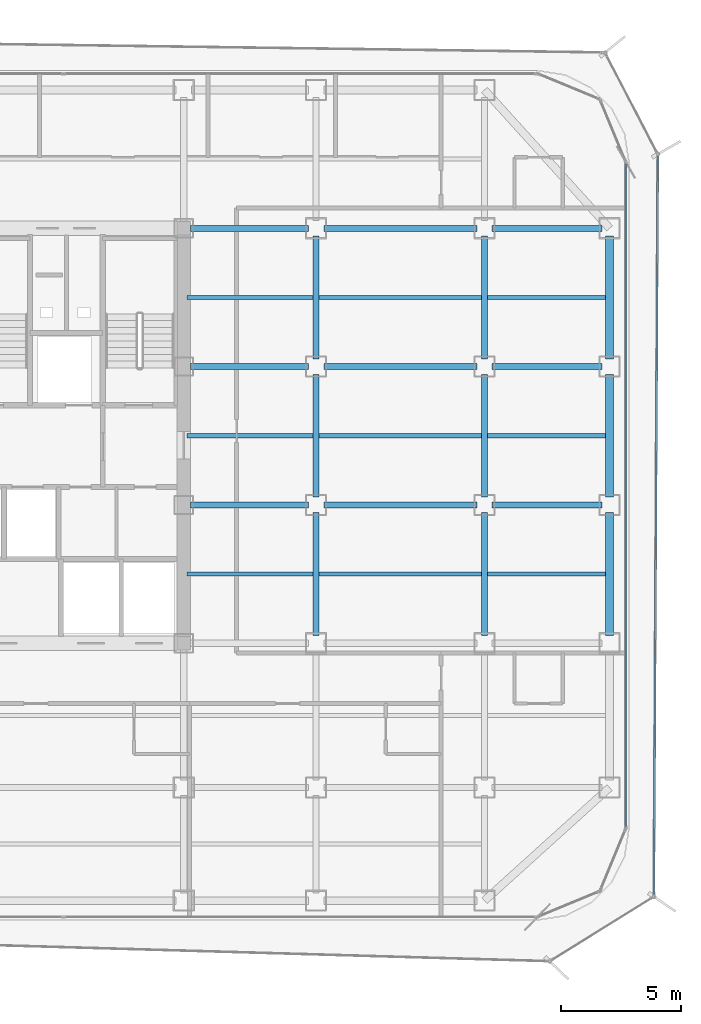
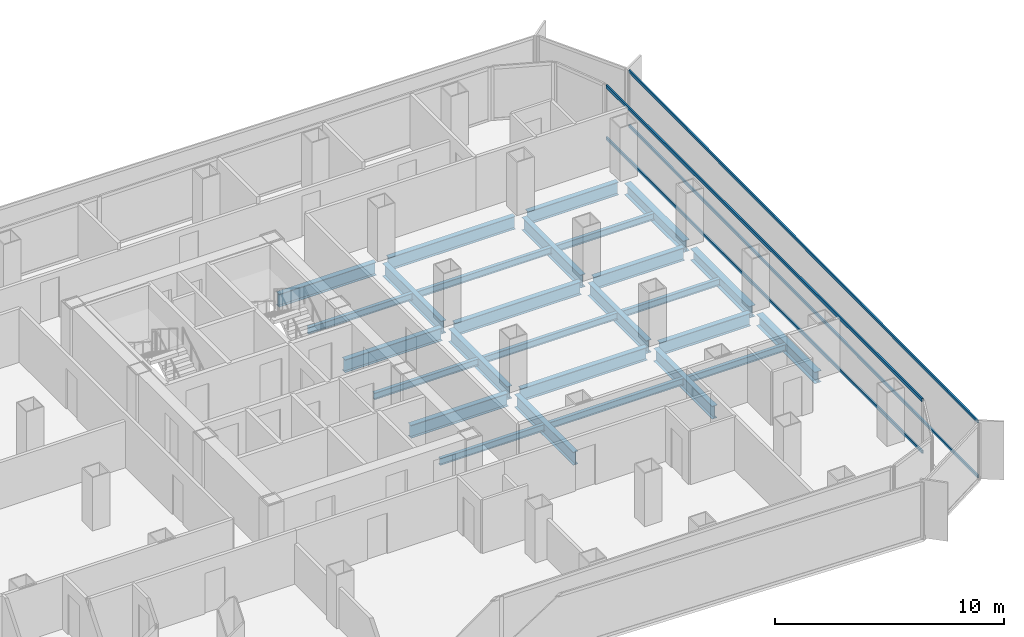
# One storey, part 9 of 21: 27 beams, 4 members, 2 elements without a shape of their own.
"""IFC4 building model written with IfcOpenShell, lengths in metres."""

from ifc_helpers import new_model, si_unit, direction, frame, origin, origin_2d, place, context, subcontext, project, spatial, hollow_rectangle, i_section, extrude, source, transform, mapped, material, layer, layer_set, material_profile, profile_set, type_object, element, aggregate, save


model = new_model("IFC4")

# Units and contexts
model_context = context("Model", 3, precision=1e-05, world=origin(), true_north=direction((0.0, 1.0)))
body_context = subcontext(model_context, "Body", "Model", "MODEL_VIEW")
ifc_project = project(units=[si_unit("LENGTHUNIT", "METRE"), si_unit("AREAUNIT", "SQUARE_METRE"), si_unit("VOLUMEUNIT", "CUBIC_METRE"), si_unit("PLANEANGLEUNIT", "RADIAN"), si_unit("MASSUNIT", "GRAM", prefix="KILO")], contexts=[model_context])

# Site, building, storey
site_placement = place(None, origin())
site = spatial("IfcSite", under=ifc_project, at=site_placement, CompositionType="ELEMENT")
building_placement = place(site_placement, origin())
building = spatial("IfcBuilding", under=site, at=building_placement, Name="Kolveth Station Tower", CompositionType="ELEMENT")
storey_placement = place(building_placement, frame((0.0, 0.0, 148.39990234375)))
storey = spatial("IfcBuildingStorey", under=building, at=storey_placement, Name="L41", CompositionType="ELEMENT", Elevation=148.39990234375)

# Beams
ifc_material_1 = material(Name="Steel S355", Category="steel")
ifc_material_profile_1 = material_profile(ifc_material_1, i_section(OverallWidth=0.323974609375, OverallDepth=0.611083984375, WebThickness=0.0126953125, FlangeThickness=0.01904296875, at=origin_2d()), Name="W610x155")
ifc_profile_set_1 = profile_set([ifc_material_profile_1], Name="Steel S355")
beam_type_1 = type_object("IfcBeamType", Name="Beam_SP2", PredefinedType="SPANDREL", material=ifc_profile_set_1)
shared_shape_1 = source(origin(), body_context, "Body", "SweptSolid", [
    extrude(i_section(OverallWidth=0.323974609375, OverallDepth=0.611083984375, WebThickness=0.0126953125, FlangeThickness=0.01904296875, at=origin_2d()), origin(), (0.0, 0.0, 1.0), 5.10986328125),
])
for number, where, z_axis, x_axis, name in (
    (1, (46.199951171875, 11.820068359375, -0.555419921875), (0.0, 1.0, 0.0), (-1.0, 0.0, 0.0), "L41 Perimeter Spandrel BM-L41-PE-2"),
    (2, (46.199951171875, 17.570068359375, -0.555419921875), (0.0, 1.0, 0.0), (-1.0, 0.0, 0.0), "L41 Perimeter Spandrel BM-L41-PE-3"),
    (3, (46.199951171875, 23.320068359375, -0.555419921875), (0.0, 1.0, 0.0), (-1.0, 0.0, 0.0), "L41 Perimeter Spandrel BM-L41-PE-4"),
):
    element("IfcBeam", number, at=place(storey_placement, frame(where, z_axis=z_axis, x_axis=x_axis)), inside=storey, type_object=beam_type_1, Name=name, PredefinedType="SPANDREL", context=body_context, shape_type="MappedRepresentation", body=[
        mapped(shared_shape_1, transform((0.0, 0.0, 0.0), x_axis=(1.0, 0.0, 0.0), y_axis=(0.0, 1.0, 0.0), z_axis=(0.0, 0.0, 1.0), scale=1.0)),
    ])
ifc_material_profile_2 = material_profile(ifc_material_1, i_section(OverallWidth=0.25390625, OverallDepth=0.68798828125, WebThickness=0.01318359375, FlangeThickness=0.02099609375, at=origin_2d()), Name="W690x152")
ifc_profile_set_2 = profile_set([ifc_material_profile_2], Name="Steel S355")
beam_type_2 = type_object("IfcBeamType", Name="Beam_B4", PredefinedType="BEAM", material=ifc_profile_set_2)
shared_shape_2 = source(origin(), body_context, "Body", "SweptSolid", [
    extrude(i_section(OverallWidth=0.25390625, OverallDepth=0.68798828125, WebThickness=0.01318359375, FlangeThickness=0.02099609375, at=origin_2d()), origin(), (0.0, 0.0, 1.0), 4.559814453125),
])
for number, where, z_axis, x_axis, name in (
    (4, (41.320068359375, 17.25, -0.593994140625), (1.0, 0.0, 0.0), (0.0, 1.0, 0.0), "L41 Primary Girder BM-L41-GY172-7"),
    (5, (41.320068359375, 23.0, -0.593994140625), (1.0, 0.0, 0.0), (0.0, 1.0, 0.0), "L41 Primary Girder BM-L41-GY230-7"),
    (6, (41.320068359375, 28.75, -0.593994140625), (1.0, 0.0, 0.0), (0.0, 1.0, 0.0), "L41 Primary Girder BM-L41-GY287-7"),
):
    element("IfcBeam", number, at=place(storey_placement, frame(where, z_axis=z_axis, x_axis=x_axis)), inside=storey, type_object=beam_type_2, Name=name, PredefinedType="BEAM", context=body_context, shape_type="MappedRepresentation", body=[
        mapped(shared_shape_2, transform((0.0, 0.0, 0.0), x_axis=(1.0, 0.0, 0.0), y_axis=(0.0, 1.0, 0.0), z_axis=(0.0, 0.0, 1.0), scale=1.0)),
    ])
shared_shape_3 = source(origin(), body_context, "Body", "SweptSolid", [
    extrude(i_section(OverallWidth=0.25390625, OverallDepth=0.68798828125, WebThickness=0.01318359375, FlangeThickness=0.02099609375, at=origin_2d()), origin(), (0.0, 0.0, 1.0), 6.35986328125),
])
for number, where, z_axis, x_axis, name in (
    (7, (34.320068359375, 17.25, -0.593994140625), (1.0, 0.0, 0.0), (0.0, 1.0, 0.0), "L41 Primary Girder BM-L41-GY172-6"),
    (8, (34.320068359375, 23.0, -0.593994140625), (1.0, 0.0, 0.0), (0.0, 1.0, 0.0), "L41 Primary Girder BM-L41-GY230-6"),
    (9, (34.320068359375, 28.75, -0.593994140625), (1.0, 0.0, 0.0), (0.0, 1.0, 0.0), "L41 Primary Girder BM-L41-GY287-6"),
):
    element("IfcBeam", number, at=place(storey_placement, frame(where, z_axis=z_axis, x_axis=x_axis)), inside=storey, type_object=beam_type_2, Name=name, PredefinedType="BEAM", context=body_context, shape_type="MappedRepresentation", body=[
        mapped(shared_shape_3, transform((0.0, 0.0, 0.0), x_axis=(1.0, 0.0, 0.0), y_axis=(0.0, 1.0, 0.0), z_axis=(0.0, 0.0, 1.0), scale=1.0)),
    ])
shared_shape_4 = source(origin(), body_context, "Body", "SweptSolid", [
    extrude(i_section(OverallWidth=0.25390625, OverallDepth=0.68798828125, WebThickness=0.01318359375, FlangeThickness=0.02099609375, at=origin_2d()), origin(), (0.0, 0.0, 1.0), 4.89990234375),
])
for number, where, z_axis, x_axis, name in (
    (10, (28.780029296875, 17.25, -0.593994140625), (1.0, 0.0, 0.0), (0.0, 1.0, 0.0), "L41 Primary Girder BM-L41-GY172-5"),
    (11, (28.780029296875, 23.0, -0.593994140625), (1.0, 0.0, 0.0), (0.0, 1.0, 0.0), "L41 Primary Girder BM-L41-GY230-5"),
    (12, (28.780029296875, 28.75, -0.593994140625), (1.0, 0.0, 0.0), (0.0, 1.0, 0.0), "L41 Primary Girder BM-L41-GY287-5"),
):
    element("IfcBeam", number, at=place(storey_placement, frame(where, z_axis=z_axis, x_axis=x_axis)), inside=storey, type_object=beam_type_2, Name=name, PredefinedType="BEAM", context=body_context, shape_type="MappedRepresentation", body=[
        mapped(shared_shape_4, transform((0.0, 0.0, 0.0), x_axis=(1.0, 0.0, 0.0), y_axis=(0.0, 1.0, 0.0), z_axis=(0.0, 0.0, 1.0), scale=1.0)),
    ])
shared_shape_5 = source(origin(), body_context, "Body", "SweptSolid", [
    extrude(i_section(OverallWidth=0.25390625, OverallDepth=0.68798828125, WebThickness=0.01318359375, FlangeThickness=0.02099609375, at=origin_2d()), origin(), (0.0, 0.0, 1.0), 5.10986328125),
])
for number, where, z_axis, x_axis, name in (
    (13, (34.0, 11.820068359375, -0.593994140625), (0.0, 1.0, 0.0), (-1.0, 0.0, 0.0), "L41 Primary Girder BM-L41-GX340-3"),
    (14, (34.0, 17.570068359375, -0.593994140625), (0.0, 1.0, 0.0), (-1.0, 0.0, 0.0), "L41 Primary Girder BM-L41-GX340-4"),
    (15, (34.0, 23.320068359375, -0.593994140625), (0.0, 1.0, 0.0), (-1.0, 0.0, 0.0), "L41 Primary Girder BM-L41-GX340-5"),
    (16, (41.0, 11.820068359375, -0.593994140625), (0.0, 1.0, 0.0), (-1.0, 0.0, 0.0), "L41 Primary Girder BM-L41-GX410-3"),
    (17, (41.0, 17.570068359375, -0.593994140625), (0.0, 1.0, 0.0), (-1.0, 0.0, 0.0), "L41 Primary Girder BM-L41-GX410-4"),
    (18, (41.0, 23.320068359375, -0.593994140625), (0.0, 1.0, 0.0), (-1.0, 0.0, 0.0), "L41 Primary Girder BM-L41-GX410-5"),
):
    element("IfcBeam", number, at=place(storey_placement, frame(where, z_axis=z_axis, x_axis=x_axis)), inside=storey, type_object=beam_type_2, Name=name, PredefinedType="BEAM", context=body_context, shape_type="MappedRepresentation", body=[
        mapped(shared_shape_5, transform((0.0, 0.0, 0.0), x_axis=(1.0, 0.0, 0.0), y_axis=(0.0, 1.0, 0.0), z_axis=(0.0, 0.0, 1.0), scale=1.0)),
    ])
ifc_material_profile_3 = material_profile(ifc_material_1, i_section(OverallWidth=0.1708984375, OverallDepth=0.35205078125, WebThickness=0.0068359375, FlangeThickness=0.009765625, at=origin_2d()), Name="W360x44")
ifc_profile_set_3 = profile_set([ifc_material_profile_3], Name="Steel S355")
beam_type_3 = type_object("IfcBeamType", Name="Beam_J2", PredefinedType="JOIST", material=ifc_profile_set_3)
shared_shape_6 = source(origin(), body_context, "Body", "SweptSolid", [
    extrude(i_section(OverallWidth=0.1708984375, OverallDepth=0.35205078125, WebThickness=0.0068359375, FlangeThickness=0.009765625, at=origin_2d()), origin(), (0.0, 0.0, 1.0), 4.9150390625),
])
for number, where, z_axis, x_axis, name in (
    (19, (41.125, 14.375, -0.42578125), (1.0, 0.0, 0.0), (0.0, 1.0, 0.0), "L41 Secondary Joist JST-L41-7-3"),
    (20, (41.125, 20.125, -0.42578125), (1.0, 0.0, 0.0), (0.0, 1.0, 0.0), "L41 Secondary Joist JST-L41-7-4"),
    (21, (41.125, 25.875, -0.42578125), (1.0, 0.0, 0.0), (0.0, 1.0, 0.0), "L41 Secondary Joist JST-L41-7-5"),
):
    element("IfcBeam", number, at=place(storey_placement, frame(where, z_axis=z_axis, x_axis=x_axis)), inside=storey, type_object=beam_type_3, Name=name, PredefinedType="JOIST", context=body_context, shape_type="MappedRepresentation", body=[
        mapped(shared_shape_6, transform((0.0, 0.0, 0.0), x_axis=(1.0, 0.0, 0.0), y_axis=(0.0, 1.0, 0.0), z_axis=(0.0, 0.0, 1.0), scale=1.0)),
    ])
shared_shape_7 = source(origin(), body_context, "Body", "SweptSolid", [
    extrude(i_section(OverallWidth=0.1708984375, OverallDepth=0.35205078125, WebThickness=0.0068359375, FlangeThickness=0.009765625, at=origin_2d()), origin(), (0.0, 0.0, 1.0), 6.75),
])
for number, where, z_axis, x_axis, name in (
    (22, (34.125, 14.375, -0.42578125), (1.0, 0.0, 0.0), (0.0, 1.0, 0.0), "L41 Secondary Joist JST-L41-6-3"),
    (23, (34.125, 20.125, -0.42578125), (1.0, 0.0, 0.0), (0.0, 1.0, 0.0), "L41 Secondary Joist JST-L41-6-4"),
    (24, (34.125, 25.875, -0.42578125), (1.0, 0.0, 0.0), (0.0, 1.0, 0.0), "L41 Secondary Joist JST-L41-6-5"),
):
    element("IfcBeam", number, at=place(storey_placement, frame(where, z_axis=z_axis, x_axis=x_axis)), inside=storey, type_object=beam_type_3, Name=name, PredefinedType="JOIST", context=body_context, shape_type="MappedRepresentation", body=[
        mapped(shared_shape_7, transform((0.0, 0.0, 0.0), x_axis=(1.0, 0.0, 0.0), y_axis=(0.0, 1.0, 0.0), z_axis=(0.0, 0.0, 1.0), scale=1.0)),
    ])
shared_shape_8 = source(origin(), body_context, "Body", "SweptSolid", [
    extrude(i_section(OverallWidth=0.1708984375, OverallDepth=0.35205078125, WebThickness=0.0068359375, FlangeThickness=0.009765625, at=origin_2d()), origin(), (0.0, 0.0, 1.0), 5.25),
])
for number, where, z_axis, x_axis, name in (
    (25, (28.625, 14.375, -0.42578125), (1.0, 0.0, 0.0), (0.0, 1.0, 0.0), "L41 Secondary Joist JST-L41-5-3"),
    (26, (28.625, 20.125, -0.42578125), (1.0, 0.0, 0.0), (0.0, 1.0, 0.0), "L41 Secondary Joist JST-L41-5-4"),
    (27, (28.625, 25.875, -0.42578125), (1.0, 0.0, 0.0), (0.0, 1.0, 0.0), "L41 Secondary Joist JST-L41-5-5"),
):
    element("IfcBeam", number, at=place(storey_placement, frame(where, z_axis=z_axis, x_axis=x_axis)), inside=storey, type_object=beam_type_3, Name=name, PredefinedType="JOIST", context=body_context, shape_type="MappedRepresentation", body=[
        mapped(shared_shape_8, transform((0.0, 0.0, 0.0), x_axis=(1.0, 0.0, 0.0), y_axis=(0.0, 1.0, 0.0), z_axis=(0.0, 0.0, 1.0), scale=1.0)),
    ])

# Curtain wall, members
ifc_material_2 = material(Name="Aluminium 6063-T6 and low-E dark glass", Category="aluminium")
ifc_layer_1 = layer(ifc_material_2, 0.18994140625)
ifc_layer_set_1 = layer_set([ifc_layer_1], Name="Aluminium 6063-T6 and low-E dark glass")
curtain_wall_type_1 = type_object("IfcCurtainWallType", Name="CurtainWall_CW-Z2", PredefinedType="NOTDEFINED", material=ifc_layer_set_1)
curtain_wall_1_placement = place(storey_placement, origin())
curtain_wall_1 = element("IfcCurtainWall", 28, at=curtain_wall_1_placement, inside=storey, type_object=curtain_wall_type_1, Name="L41 Inner Thermal Curtain Wall 3", PredefinedType="NOTDEFINED")
ifc_material_3 = material(Name="Black anodized aluminium 6063-T6", Category="aluminium")
ifc_material_profile_4 = material_profile(ifc_material_3, hollow_rectangle(XDim=0.080078125, YDim=0.169921875, WallThickness=0.0048828125, at=origin_2d()), Name="ALU-80x170x5")
ifc_profile_set_4 = profile_set([ifc_material_profile_4], Name="Black anodized aluminium 6063-T6")
member_type_1 = type_object("IfcMemberType", Name="Transom_TR2", PredefinedType="USERDEFINED", material=ifc_profile_set_4)
shared_shape_9 = source(origin(), body_context, "Body", "SweptSolid", [
    extrude(hollow_rectangle(XDim=0.080078125, YDim=0.169921875, WallThickness=0.0048828125, at=origin_2d()), origin(), (0.0, 0.0, 1.0), 27.5400390625),
])
member_1_placement = place(storey_placement, frame((46.8798828125, 3.8798828125, 0.0400390625), z_axis=(0.0, 1.0, 0.0), x_axis=(-1.0, 0.0, 0.0)))
member_1 = element("IfcMember", 29, at=member_1_placement, type_object=member_type_1, Name="CW-Z2 transom 1.1", ObjectType="TRANSOM", PredefinedType="USERDEFINED", context=body_context, shape_type="MappedRepresentation", body=[
    mapped(shared_shape_9, transform((0.0, 0.0, 0.0), x_axis=(1.0, 0.0, 0.0), y_axis=(0.0, 1.0, 0.0), z_axis=(0.0, 0.0, 1.0), scale=1.0)),
])
member_2_placement = place(storey_placement, frame((46.8798828125, 3.8798828125, 2.800048828125), z_axis=(0.0, 1.0, 0.0), x_axis=(-1.0, 0.0, 0.0)))
member_2 = element("IfcMember", 30, at=member_2_placement, type_object=member_type_1, Name="CW-Z2 transom 1.2", ObjectType="TRANSOM", PredefinedType="USERDEFINED", context=body_context, shape_type="MappedRepresentation", body=[
    mapped(shared_shape_9, transform((0.0, 0.0, 0.0), x_axis=(1.0, 0.0, 0.0), y_axis=(0.0, 1.0, 0.0), z_axis=(0.0, 0.0, 1.0), scale=1.0)),
])
aggregate(curtain_wall_1, [member_1, member_2])

ifc_material_4 = material(Name="Black anodized aluminium 6063-T6 and dark solar glass", Category="aluminium")
ifc_layer_2 = layer(ifc_material_4, 0.159912109375)
ifc_layer_set_2 = layer_set([ifc_layer_2], Name="Black anodized aluminium 6063-T6 and dark solar glass")
curtain_wall_type_2 = type_object("IfcCurtainWallType", Name="OUTER SKIN CW-OS", PredefinedType="NOTDEFINED", material=ifc_layer_set_2)
curtain_wall_2_placement = place(storey_placement, origin())
curtain_wall_2 = element("IfcCurtainWall", 31, at=curtain_wall_2_placement, inside=storey, type_object=curtain_wall_type_2, Name="L41 Outer Ventilated Skin Curtain Wall 2", PredefinedType="NOTDEFINED")
ifc_material_profile_5 = material_profile(ifc_material_3, hollow_rectangle(XDim=0.080078125, YDim=0.14990234375, WallThickness=0.0048828125, at=origin_2d()), Name="ALU-80x150x5")
ifc_profile_set_5 = profile_set([ifc_material_profile_5], Name="Black anodized aluminium 6063-T6")
member_type_2 = type_object("IfcMemberType", Name="Transom_TR-OS", PredefinedType="USERDEFINED", material=ifc_profile_set_5)
shared_shape_10 = source(origin(), body_context, "Body", "SweptSolid", [
    extrude(hollow_rectangle(XDim=0.080078125, YDim=0.14990234375, WallThickness=0.0048828125, at=origin_2d()), origin(), (0.0, 0.0, 1.0), 30.686767578125),
])
member_3_placement = place(storey_placement, frame((48.044189453125, 1.055419921875, 0.0400390625), z_axis=(0.005306590039, 0.999985919952, 0.0), x_axis=(-0.999985919952, 0.005306590039, 0.0)))
member_3 = element("IfcMember", 32, at=member_3_placement, type_object=member_type_2, Name="CW-OS transom 1.1", ObjectType="TRANSOM", PredefinedType="USERDEFINED", context=body_context, shape_type="MappedRepresentation", body=[
    mapped(shared_shape_10, transform((0.0, 0.0, 0.0), x_axis=(1.0, 0.0, 0.0), y_axis=(0.0, 1.0, 0.0), z_axis=(0.0, 0.0, 1.0), scale=1.0)),
])
member_4_placement = place(storey_placement, frame((48.044189453125, 1.055419921875, 2.9501953125), z_axis=(0.005306590039, 0.999985919952, 0.0), x_axis=(-0.999985919952, 0.005306590039, 0.0)))
member_4 = element("IfcMember", 33, at=member_4_placement, type_object=member_type_2, Name="CW-OS transom 1.2", ObjectType="TRANSOM", PredefinedType="USERDEFINED", context=body_context, shape_type="MappedRepresentation", body=[
    mapped(shared_shape_10, transform((0.0, 0.0, 0.0), x_axis=(1.0, 0.0, 0.0), y_axis=(0.0, 1.0, 0.0), z_axis=(0.0, 0.0, 1.0), scale=1.0)),
])
aggregate(curtain_wall_2, [member_3, member_4])

save(model, "model.ifc")
